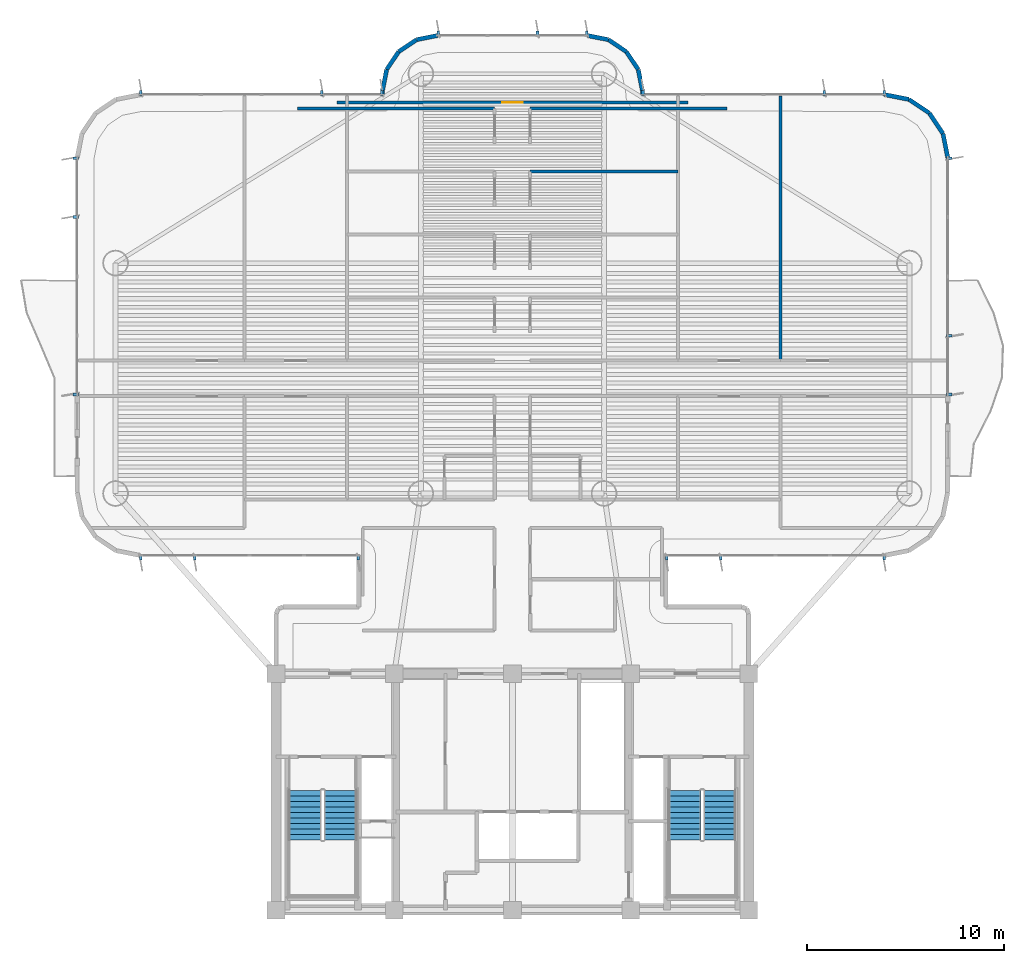
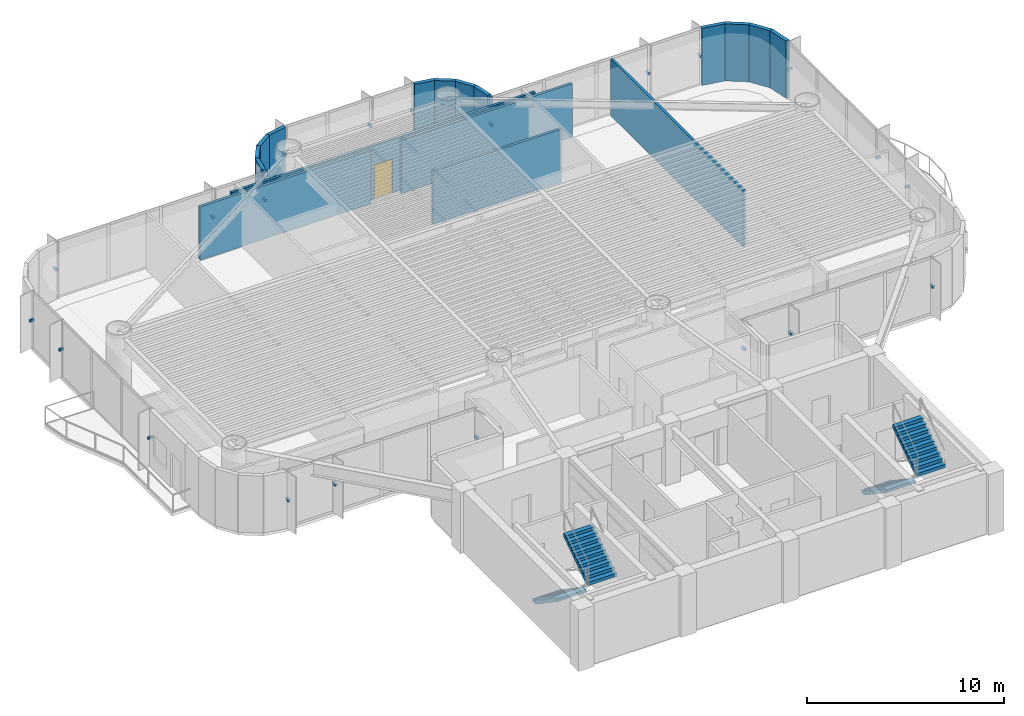
# One storey, part 12 of 16: 21 discrete accessories, 19 walls, 4 stair flights, 1 door, 1 opening, 2 elements without a shape of their own.
"""IFC4 building model written with IfcOpenShell, lengths in metres."""

from ifc_helpers import new_model, si_unit, direction, frame, frame_2d, origin, origin_2d, place, context, subcontext, project, spatial, polyline, rectangle, outline, extrude, source, transform, mapped, material, layer, layer_set, type_object, element, fill, aggregate, save


model = new_model("IFC4")

# Units and contexts
model_context = context("Model", 3, precision=1e-05, world=origin(), true_north=direction((0.0, 1.0)))
body_context = subcontext(model_context, "Body", "Model", "MODEL_VIEW")
ifc_project = project(units=[si_unit("LENGTHUNIT", "METRE"), si_unit("AREAUNIT", "SQUARE_METRE"), si_unit("VOLUMEUNIT", "CUBIC_METRE"), si_unit("PLANEANGLEUNIT", "RADIAN"), si_unit("MASSUNIT", "GRAM", prefix="KILO")], contexts=[model_context])

# Site, building, storey
site_placement = place(None, origin())
site = spatial("IfcSite", under=ifc_project, at=site_placement, CompositionType="ELEMENT")
building_placement = place(site_placement, origin())
building = spatial("IfcBuilding", under=site, at=building_placement, Name="Brelvock Crest Care Tower", CompositionType="ELEMENT")
storey_placement = place(building_placement, frame((0.0, 0.0, 104.93994140625)))
storey = spatial("IfcBuildingStorey", under=building, at=storey_placement, Name="L26", CompositionType="ELEMENT", Elevation=104.93994140625)

# Walls
ifc_material_1 = material(Name="Precast concrete N40 (40 MPa)", Category="concrete")
ifc_layer_1 = layer(ifc_material_1, 0.215087890625, Name="WL-EX2")
ifc_layer_set_1 = layer_set([ifc_layer_1], Name="Precast concrete N40 (40 MPa)")
wall_type_1 = type_object("IfcWallType", Name="WL-EX2", PredefinedType="SOLIDWALL", material=ifc_layer_set_1)
wall_1_placement = place(storey_placement, frame((29.39990234375, 47.39990234375, 0.0), z_axis=(0.0, 0.0, 1.0), x_axis=(0.0, 1.0, 0.0)))
element("IfcWall", 1, at=wall_1_placement, inside=storey, type_object=wall_type_1, Name="L26 Rounded Corner Wall 23", PredefinedType="SOLIDWALL", context=body_context, shape_type="SweptSolid", body=[
    extrude(rectangle(XDim=0.2001953125, YDim=0.215087890625, at=frame_2d((0.10009765625, 0.0))), origin(), (0.0, 0.0, 1.0), 3.530029296875),
])
wall_2_placement = place(storey_placement, frame((29.39990234375, 47.60009765625, 0.0), z_axis=(0.0, 0.0, 1.0), x_axis=(0.195127417394, 0.980777900945, 0.0)))
element("IfcWall", 2, at=wall_2_placement, inside=storey, type_object=wall_type_1, Name="L26 Rounded Corner Wall 24", PredefinedType="SOLIDWALL", context=body_context, shape_type="SweptSolid", body=[
    extrude(rectangle(XDim=1.09228515625, YDim=0.215087890625, at=frame_2d((0.546142578125, 0.0))), origin(), (0.0, 0.0, 1.0), 3.530029296875),
])
wall_3_placement = place(storey_placement, frame((29.613037109375, 48.67138671875, 0.0), z_axis=(0.0, 0.0, 1.0), x_axis=(0.555679482341, 0.831396603857, 0.0)))
element("IfcWall", 3, at=wall_3_placement, inside=storey, type_object=wall_type_1, Name="L26 Rounded Corner Wall 25", PredefinedType="SOLIDWALL", context=body_context, shape_type="SweptSolid", body=[
    extrude(rectangle(XDim=1.0927734375, YDim=0.215087890625, at=frame_2d((0.54638671875, 0.0))), origin(), (0.0, 0.0, 1.0), 3.530029296875),
])
for number, where, z_axis, x_axis, name in (
    (4, (30.22021484375, 49.579833984375, 0.0), (0.0, 0.0, 1.0), (0.831327592857, 0.555782721353, 0.0), "L26 Rounded Corner Wall 26"),
    (5, (31.12841796875, 50.18701171875, 0.0), (0.0, 0.0, 1.0), (0.980829143587, 0.194869677195, 0.0), "L26 Rounded Corner Wall 27"),
    (6, (39.800048828125, 50.39990234375, 0.0), (0.0, 0.0, 1.0), (0.980829143587, -0.194869677195, 0.0), "L26 Rounded Corner Wall 29"),
    (7, (40.87158203125, 50.18701171875, 0.0), (0.0, 0.0, 1.0), (0.831327592857, -0.555782721353, 0.0), "L26 Rounded Corner Wall 30"),
):
    element("IfcWall", number, at=place(storey_placement, frame(where, z_axis=z_axis, x_axis=x_axis)), inside=storey, type_object=wall_type_1, Name=name, PredefinedType="SOLIDWALL", context=body_context, shape_type="SweptSolid", body=[
        extrude(rectangle(XDim=1.092529296875, YDim=0.215087890625, at=frame_2d((0.54638671875, 0.0))), origin(), (0.0, 0.0, 1.0), 3.530029296875),
    ])
wall_4_placement = place(storey_placement, frame((41.77978515625, 49.579833984375, 0.0), z_axis=(0.0, 0.0, 1.0), x_axis=(0.555679482341, -0.831396603857, 0.0)))
element("IfcWall", 8, at=wall_4_placement, inside=storey, type_object=wall_type_1, Name="L26 Rounded Corner Wall 31", PredefinedType="SOLIDWALL", context=body_context, shape_type="SweptSolid", body=[
    extrude(rectangle(XDim=1.0927734375, YDim=0.215087890625, at=frame_2d((0.54638671875, 0.0))), origin(), (0.0, 0.0, 1.0), 3.530029296875),
])
wall_5_placement = place(storey_placement, frame((42.386962890625, 48.67138671875, 0.0), z_axis=(0.0, 0.0, 1.0), x_axis=(0.195127417394, -0.980777900945, 0.0)))
element("IfcWall", 9, at=wall_5_placement, inside=storey, type_object=wall_type_1, Name="L26 Rounded Corner Wall 32", PredefinedType="SOLIDWALL", context=body_context, shape_type="SweptSolid", body=[
    extrude(rectangle(XDim=1.09228515625, YDim=0.215087890625, at=frame_2d((0.546142578125, 0.0))), origin(), (0.0, 0.0, 1.0), 3.530029296875),
])
wall_6_placement = place(storey_placement, frame((42.60009765625, 47.60009765625, 0.0), z_axis=(0.0, 0.0, 1.0), x_axis=(0.0, -1.0, 0.0)))
element("IfcWall", 10, at=wall_6_placement, inside=storey, type_object=wall_type_1, Name="L26 Rounded Corner Wall 33", PredefinedType="SOLIDWALL", context=body_context, shape_type="SweptSolid", body=[
    extrude(rectangle(XDim=0.2001953125, YDim=0.215087890625, at=frame_2d((0.10009765625, 0.0))), origin(), (0.0, 0.0, 1.0), 3.530029296875),
])
for number, where, z_axis, x_axis, name in (
    (11, (54.89990234375, 47.39990234375, 0.0), (0.0, 0.0, 1.0), (0.980813122964, -0.194950295773, 0.0), "L26 Rounded Corner Wall 35"),
    (12, (56.12451171875, 47.156494140625, 0.0), (0.0, 0.0, 1.0), (0.831387912822, -0.555692485475, 0.0), "L26 Rounded Corner Wall 36"),
    (13, (57.16259765625, 46.462646484375, 0.0), (0.0, 0.0, 1.0), (0.555692485475, -0.831387912822, 0.0), "L26 Rounded Corner Wall 37"),
    (14, (57.8564453125, 45.424560546875, 0.0), (0.0, 0.0, 1.0), (0.195138390419, -0.980775717779, 0.0), "L26 Rounded Corner Wall 38"),
):
    element("IfcWall", number, at=place(storey_placement, frame(where, z_axis=z_axis, x_axis=x_axis)), inside=storey, type_object=wall_type_1, Name=name, PredefinedType="SOLIDWALL", context=body_context, shape_type="SweptSolid", body=[
        extrude(rectangle(XDim=1.24853515625, YDim=0.215087890625, at=frame_2d((0.624267578125, 0.0))), origin(), (0.0, 0.0, 1.0), 3.530029296875),
    ])
ifc_material_2 = material(Name="Masonry Blockwork Acoustic Partition", Category="masonry")
ifc_layer_2 = layer(ifc_material_2, 0.14990234375, Name="WL-INT1")
ifc_layer_set_2 = layer_set([ifc_layer_2], Name="Masonry Blockwork Acoustic Partition")
wall_type_2 = type_object("IfcWallType", Name="WL-INT1", PredefinedType="PARTITIONING", material=ifc_layer_set_2)
wall_7_placement = place(storey_placement, frame((36.89990234375, 43.5, 0.0), z_axis=(0.0, 0.0, 1.0), x_axis=(1.0, 0.0, 0.0)))
element("IfcWall", 15, at=wall_7_placement, inside=storey, type_object=wall_type_2, Name="L26 Interior Wall WL-BX-L26-CS-INECBA-N", PredefinedType="PARTITIONING", context=body_context, shape_type="SweptSolid", body=[
    extrude(rectangle(XDim=7.5, YDim=0.14990234375, at=frame_2d((3.75, 0.0))), origin(), (0.0, 0.0, 1.0), 3.30810546875),
])
for number, where, z_axis, x_axis, name in (
    (16, (25.10009765625, 46.699951171875, 0.0), (0.0, 0.0, 1.0), (1.0, 0.0, 0.0), "L26 Interior Wall WL-BX-L26-CS-INWCBB-N"),
    (17, (36.89990234375, 46.699951171875, 0.0), (0.0, 0.0, 1.0), (1.0, 0.0, 0.0), "L26 Interior Wall WL-BX-L26-CS-INECBB-N"),
):
    element("IfcWall", number, at=place(storey_placement, frame(where, z_axis=z_axis, x_axis=x_axis)), inside=storey, type_object=wall_type_2, Name=name, PredefinedType="PARTITIONING", context=body_context, shape_type="SweptSolid", body=[
        extrude(rectangle(XDim=10.0, YDim=0.14990234375, at=frame_2d((5.0, 0.0))), origin(), (0.0, 0.0, 1.0), 3.30810546875),
    ])

# Wall, opening, door
wall_8_placement = place(storey_placement, frame((27.10009765625, 47.0, 0.0), z_axis=(0.0, 0.0, 1.0), x_axis=(1.0, 0.0, 0.0)))
wall_8 = element("IfcWall", 18, at=wall_8_placement, inside=storey, type_object=wall_type_2, Name="L26 Interior Wall WL-RM-L26-NHUB", PredefinedType="PARTITIONING", context=body_context, shape_type="SweptSolid", body=[
    extrude(rectangle(XDim=17.7998046875, YDim=0.14990234375, at=frame_2d((8.89990234375, 0.0))), origin(), (0.0, 0.0, 1.0), 3.30810546875),
])
opening_placement = place(wall_8_placement, frame((8.375, 0.0, 0.0)))
opening = element("IfcOpeningElement", 19, at=opening_placement, cuts=wall_8, Name="Opening CLD-1", PredefinedType="OPENING", context=body_context, shape_type="SweptSolid", body=[
    extrude(rectangle(XDim=1.050048828125, YDim=2.10009765625, at=origin_2d()), frame((0.52490234375, 0.0849609375, 1.050048828125), z_axis=(0.0, -1.0, 0.0), x_axis=(1.0, 0.0, 0.0)), (0.0, 0.0, 1.0), 0.169921875),
])
ifc_material_3 = material(Name="Engineered Hardwood Timber", Category="wood")
door_type = type_object("IfcDoorType", Name="DR-CLN1", OperationType="NOTDEFINED", PredefinedType="DOOR", material=ifc_material_3)
shared_shape_1 = source(origin(), body_context, "Body", "SweptSolid", [
    extrude(rectangle(XDim=1.050048828125, YDim=2.10009765625, at=origin_2d()), frame((0.52490234375, 0.02490234375, 1.050048828125), z_axis=(0.0, -1.0, 0.0), x_axis=(1.0, 0.0, 0.0)), (0.0, 0.0, 1.0), 0.050048828125),
])
door_placement = place(opening_placement, origin())
door = element("IfcDoor", 20, at=door_placement, inside=storey, type_object=door_type, Name="L26 North Panorama Sunroom Door NHUB", OperationType="SINGLE_SWING_LEFT", OverallHeight=2.10009765625, OverallWidth=1.050048828125, PredefinedType="DOOR", context=body_context, shape_type="MappedRepresentation", body=[
    mapped(shared_shape_1, transform((0.0, 0.0, 0.0), x_axis=(1.0, 0.0, 0.0), y_axis=(0.0, 1.0, 0.0), z_axis=(0.0, 0.0, 1.0), scale=1.0)),
])
fill(opening, door)

# Wall
wall_9_placement = place(storey_placement, frame((49.60009765625, 33.89990234375, 0.0), z_axis=(0.0, 0.0, 1.0), x_axis=(0.0, 1.0, 0.0)))
element("IfcWall", 21, at=wall_9_placement, inside=storey, type_object=wall_type_2, Name="L26 Interior Wall WL-BX-L26-INED-E", PredefinedType="PARTITIONING", context=body_context, shape_type="SweptSolid", body=[
    extrude(rectangle(XDim=13.4208984375, YDim=0.14990234375, at=frame_2d((6.71044921875, 0.0))), origin(), (0.0, 0.0, 1.0), 3.5),
])

# Stair, stair flights
ifc_material_4 = material(Name="Concrete N40 (40 MPa)", Category="concrete")
stair_type = type_object("IfcStairType", Name="ST-CORE1", PredefinedType="HALF_TURN_STAIR", material=ifc_material_4)
stair_1_placement = place(storey_placement, origin())
stair_1 = element("IfcStair", 22, at=stair_1_placement, inside=storey, type_object=stair_type, Name="L26 Fire-Isolated Core Stair ST-1", PredefinedType="HALF_TURN_STAIR")
stair_flight_type = type_object("IfcStairFlightType", Name="STF-1", PredefinedType="STRAIGHT", material=ifc_material_4)
stair_flight_1_placement = place(storey_placement, frame((25.469970703125, 12.080078125, 0.0), z_axis=(0.0, 0.0, 1.0), x_axis=(0.0, -1.0, 0.0)))
stair_flight_1 = element("IfcStairFlight", 23, at=stair_flight_1_placement, type_object=stair_flight_type, Name="ST-1 flight 1", NumberOfRisers=10, NumberOfTreads=9, PredefinedType="STRAIGHT", RiserHeight=0.189, TreadLength=0.28, context=body_context, shape_type="SweptSolid", body=[
    extrude(outline(polyline([(-0.00390625, -0.014892578125), (-0.00390625, -0.0078125), (-0.00390625, -0.00048828125), (-0.00390625, 0.0068359375), (-0.00390625, 0.01416015625), (-0.00390625, 0.021484375), (-0.00390625, 0.02880859375), (-0.00390625, 0.035888671875), (-0.00390625, 0.043212890625), (-0.00390625, 0.050537109375), (-0.00390625, 0.057861328125), (-0.00390625, 0.065185546875), (-0.00390625, 0.072509765625), (-0.00390625, 0.07958984375), (-0.00390625, 0.0869140625), (-0.00390625, 0.09423828125), (-0.00390625, 0.1015625), (-0.00390625, 0.10888671875), (-0.00390625, 0.1162109375), (-0.00390625, 0.12353515625), (-0.00390625, 0.130615234375), (-0.00390625, 0.137939453125), (-0.00390625, 0.145263671875), (-0.00390625, 0.152587890625), (-0.00390625, 0.159912109375), (-0.00390625, 0.167236328125), (-0.00390625, 0.17431640625), (-0.00390625, 0.181640625), (-0.00390625, 0.18896484375), (0.0, 0.18896484375), (0.280029296875, 0.18896484375), (0.280029296875, 0.3779296875), (0.56005859375, 0.3779296875), (0.56005859375, 0.56689453125), (0.840087890625, 0.56689453125), (0.840087890625, 0.756103515625), (1.1201171875, 0.756103515625), (1.1201171875, 0.945068359375), (1.39990234375, 0.945068359375), (1.39990234375, 1.134033203125), (1.679931640625, 1.134033203125), (1.679931640625, 1.322998046875), (1.9599609375, 1.322998046875), (1.9599609375, 1.511962890625), (2.239990234375, 1.511962890625), (2.239990234375, 1.700927734375), (2.52001953125, 1.700927734375), (2.52392578125, 1.700927734375), (2.523681640625, 1.70068359375), (2.52392578125, 1.700439453125), (2.523681640625, 1.699951171875), (2.52392578125, 1.69970703125), (2.523681640625, 1.699462890625), (2.52392578125, 1.698974609375), (2.523681640625, 1.69873046875), (2.52392578125, 1.698486328125), (2.523681640625, 1.697998046875), (2.52392578125, 1.69775390625), (2.523681640625, 1.697509765625), (2.52392578125, 1.697021484375), (2.523681640625, 1.69677734375), (2.52392578125, 1.696533203125), (2.523681640625, 1.6962890625), (2.52392578125, 1.69580078125), (2.523681640625, 1.695556640625), (2.52392578125, 1.6953125), (2.523681640625, 1.69482421875), (2.52392578125, 1.694580078125), (2.523681640625, 1.6943359375), (2.52392578125, 1.69384765625), (2.523681640625, 1.693603515625), (2.52392578125, 1.693359375), (2.523681640625, 1.69287109375), (2.52392578125, 1.692626953125), (2.523681640625, 1.6923828125), (2.52392578125, 1.69189453125), (2.52001953125, 1.520263671875), (0.267822265625, 0.0), (0.0, 0.0), (0.0, -0.014892578125), (-0.00390625, -0.014892578125)])), frame((0.0, 0.83984375, 0.0), z_axis=(0.0, -1.0, 0.0), x_axis=(1.0, 0.0, 0.0)), (0.0, 0.0, 1.0), 1.679931640625),
])
stair_flight_2_placement = place(storey_placement, frame((27.27001953125, 9.56005859375, 1.89013671875), z_axis=(0.0, 0.0, 1.0), x_axis=(0.0, 1.0, 0.0)))
stair_flight_2 = element("IfcStairFlight", 24, at=stair_flight_2_placement, type_object=stair_flight_type, Name="ST-1 flight 2", NumberOfRisers=10, NumberOfTreads=9, PredefinedType="STRAIGHT", RiserHeight=0.189, TreadLength=0.28, context=body_context, shape_type="SweptSolid", body=[
    extrude(outline(polyline([(-0.00390625, -0.014892578125), (-0.00390625, -0.0078125), (-0.00390625, -0.00048828125), (-0.00390625, 0.0068359375), (-0.00390625, 0.01416015625), (-0.00390625, 0.021484375), (-0.00390625, 0.02880859375), (-0.00390625, 0.035888671875), (-0.00390625, 0.043212890625), (-0.00390625, 0.050537109375), (-0.00390625, 0.057861328125), (-0.00390625, 0.065185546875), (-0.00390625, 0.072509765625), (-0.00390625, 0.07958984375), (-0.00390625, 0.0869140625), (-0.00390625, 0.09423828125), (-0.00390625, 0.1015625), (-0.00390625, 0.10888671875), (-0.00390625, 0.1162109375), (-0.00390625, 0.12353515625), (-0.00390625, 0.130615234375), (-0.00390625, 0.137939453125), (-0.00390625, 0.145263671875), (-0.00390625, 0.152587890625), (-0.00390625, 0.159912109375), (-0.00390625, 0.167236328125), (-0.00390625, 0.17431640625), (-0.00390625, 0.181640625), (-0.00390625, 0.18896484375), (0.0, 0.18896484375), (0.280029296875, 0.18896484375), (0.280029296875, 0.3779296875), (0.56005859375, 0.3779296875), (0.56005859375, 0.56689453125), (0.840087890625, 0.56689453125), (0.840087890625, 0.756103515625), (1.1201171875, 0.756103515625), (1.1201171875, 0.945068359375), (1.39990234375, 0.945068359375), (1.39990234375, 1.134033203125), (1.679931640625, 1.134033203125), (1.679931640625, 1.322998046875), (1.9599609375, 1.322998046875), (1.9599609375, 1.511962890625), (2.239990234375, 1.511962890625), (2.239990234375, 1.700927734375), (2.52001953125, 1.700927734375), (2.52392578125, 1.700927734375), (2.523681640625, 1.70068359375), (2.52392578125, 1.700439453125), (2.523681640625, 1.699951171875), (2.52392578125, 1.69970703125), (2.523681640625, 1.699462890625), (2.52392578125, 1.698974609375), (2.523681640625, 1.69873046875), (2.52392578125, 1.698486328125), (2.523681640625, 1.697998046875), (2.52392578125, 1.69775390625), (2.523681640625, 1.697509765625), (2.52392578125, 1.697021484375), (2.523681640625, 1.69677734375), (2.52392578125, 1.696533203125), (2.523681640625, 1.6962890625), (2.52392578125, 1.69580078125), (2.523681640625, 1.695556640625), (2.52392578125, 1.6953125), (2.523681640625, 1.69482421875), (2.52392578125, 1.694580078125), (2.523681640625, 1.6943359375), (2.52392578125, 1.69384765625), (2.523681640625, 1.693603515625), (2.52392578125, 1.693359375), (2.523681640625, 1.69287109375), (2.52392578125, 1.692626953125), (2.523681640625, 1.6923828125), (2.52392578125, 1.69189453125), (2.52001953125, 1.520263671875), (0.267822265625, 0.0), (0.0, 0.0), (0.0, -0.014892578125), (-0.00390625, -0.014892578125)])), frame((0.0, 0.83984375, 0.0), z_axis=(0.0, -1.0, 0.0), x_axis=(1.0, 0.0, 0.0)), (0.0, 0.0, 1.0), 1.679931640625),
])
aggregate(stair_1, [stair_flight_1, stair_flight_2])

stair_2_placement = place(storey_placement, origin())
stair_2 = element("IfcStair", 25, at=stair_2_placement, inside=storey, type_object=stair_type, Name="L26 Fire-Isolated Core Stair ST-2", PredefinedType="HALF_TURN_STAIR")
stair_flight_3_placement = place(storey_placement, frame((44.72998046875, 12.080078125, 0.0), z_axis=(0.0, 0.0, 1.0), x_axis=(0.0, -1.0, 0.0)))
stair_flight_3 = element("IfcStairFlight", 26, at=stair_flight_3_placement, type_object=stair_flight_type, Name="ST-2 flight 1", NumberOfRisers=10, NumberOfTreads=9, PredefinedType="STRAIGHT", RiserHeight=0.189, TreadLength=0.28, context=body_context, shape_type="SweptSolid", body=[
    extrude(outline(polyline([(-0.00390625, -0.014892578125), (-0.00390625, -0.0078125), (-0.00390625, -0.00048828125), (-0.00390625, 0.0068359375), (-0.00390625, 0.01416015625), (-0.00390625, 0.021484375), (-0.00390625, 0.02880859375), (-0.00390625, 0.035888671875), (-0.00390625, 0.043212890625), (-0.00390625, 0.050537109375), (-0.00390625, 0.057861328125), (-0.00390625, 0.065185546875), (-0.00390625, 0.072509765625), (-0.00390625, 0.07958984375), (-0.00390625, 0.0869140625), (-0.00390625, 0.09423828125), (-0.00390625, 0.1015625), (-0.00390625, 0.10888671875), (-0.00390625, 0.1162109375), (-0.00390625, 0.12353515625), (-0.00390625, 0.130615234375), (-0.00390625, 0.137939453125), (-0.00390625, 0.145263671875), (-0.00390625, 0.152587890625), (-0.00390625, 0.159912109375), (-0.00390625, 0.167236328125), (-0.00390625, 0.17431640625), (-0.00390625, 0.181640625), (-0.00390625, 0.18896484375), (0.0, 0.18896484375), (0.280029296875, 0.18896484375), (0.280029296875, 0.3779296875), (0.56005859375, 0.3779296875), (0.56005859375, 0.56689453125), (0.840087890625, 0.56689453125), (0.840087890625, 0.756103515625), (1.1201171875, 0.756103515625), (1.1201171875, 0.945068359375), (1.39990234375, 0.945068359375), (1.39990234375, 1.134033203125), (1.679931640625, 1.134033203125), (1.679931640625, 1.322998046875), (1.9599609375, 1.322998046875), (1.9599609375, 1.511962890625), (2.239990234375, 1.511962890625), (2.239990234375, 1.700927734375), (2.52001953125, 1.700927734375), (2.52392578125, 1.700927734375), (2.523681640625, 1.70068359375), (2.52392578125, 1.700439453125), (2.523681640625, 1.699951171875), (2.52392578125, 1.69970703125), (2.523681640625, 1.699462890625), (2.52392578125, 1.698974609375), (2.523681640625, 1.69873046875), (2.52392578125, 1.698486328125), (2.523681640625, 1.697998046875), (2.52392578125, 1.69775390625), (2.523681640625, 1.697509765625), (2.52392578125, 1.697021484375), (2.523681640625, 1.69677734375), (2.52392578125, 1.696533203125), (2.523681640625, 1.6962890625), (2.52392578125, 1.69580078125), (2.523681640625, 1.695556640625), (2.52392578125, 1.6953125), (2.523681640625, 1.69482421875), (2.52392578125, 1.694580078125), (2.523681640625, 1.6943359375), (2.52392578125, 1.69384765625), (2.523681640625, 1.693603515625), (2.52392578125, 1.693359375), (2.523681640625, 1.69287109375), (2.52392578125, 1.692626953125), (2.523681640625, 1.6923828125), (2.52392578125, 1.69189453125), (2.52001953125, 1.520263671875), (0.267822265625, 0.0), (0.0, 0.0), (0.0, -0.014892578125), (-0.00390625, -0.014892578125)])), frame((0.0, 0.83984375, 0.0), z_axis=(0.0, -1.0, 0.0), x_axis=(1.0, 0.0, 0.0)), (0.0, 0.0, 1.0), 1.679931640625),
])
stair_flight_4_placement = place(storey_placement, frame((46.530029296875, 9.56005859375, 1.89013671875), z_axis=(0.0, 0.0, 1.0), x_axis=(0.0, 1.0, 0.0)))
stair_flight_4 = element("IfcStairFlight", 27, at=stair_flight_4_placement, type_object=stair_flight_type, Name="ST-2 flight 2", NumberOfRisers=10, NumberOfTreads=9, PredefinedType="STRAIGHT", RiserHeight=0.189, TreadLength=0.28, context=body_context, shape_type="SweptSolid", body=[
    extrude(outline(polyline([(-0.00390625, -0.014892578125), (-0.00390625, -0.0078125), (-0.00390625, -0.00048828125), (-0.00390625, 0.0068359375), (-0.00390625, 0.01416015625), (-0.00390625, 0.021484375), (-0.00390625, 0.02880859375), (-0.00390625, 0.035888671875), (-0.00390625, 0.043212890625), (-0.00390625, 0.050537109375), (-0.00390625, 0.057861328125), (-0.00390625, 0.065185546875), (-0.00390625, 0.072509765625), (-0.00390625, 0.07958984375), (-0.00390625, 0.0869140625), (-0.00390625, 0.09423828125), (-0.00390625, 0.1015625), (-0.00390625, 0.10888671875), (-0.00390625, 0.1162109375), (-0.00390625, 0.12353515625), (-0.00390625, 0.130615234375), (-0.00390625, 0.137939453125), (-0.00390625, 0.145263671875), (-0.00390625, 0.152587890625), (-0.00390625, 0.159912109375), (-0.00390625, 0.167236328125), (-0.00390625, 0.17431640625), (-0.00390625, 0.181640625), (-0.00390625, 0.18896484375), (0.0, 0.18896484375), (0.280029296875, 0.18896484375), (0.280029296875, 0.3779296875), (0.56005859375, 0.3779296875), (0.56005859375, 0.56689453125), (0.840087890625, 0.56689453125), (0.840087890625, 0.756103515625), (1.1201171875, 0.756103515625), (1.1201171875, 0.945068359375), (1.39990234375, 0.945068359375), (1.39990234375, 1.134033203125), (1.679931640625, 1.134033203125), (1.679931640625, 1.322998046875), (1.9599609375, 1.322998046875), (1.9599609375, 1.511962890625), (2.239990234375, 1.511962890625), (2.239990234375, 1.700927734375), (2.52001953125, 1.700927734375), (2.52392578125, 1.700927734375), (2.523681640625, 1.70068359375), (2.52392578125, 1.700439453125), (2.523681640625, 1.699951171875), (2.52392578125, 1.69970703125), (2.523681640625, 1.699462890625), (2.52392578125, 1.698974609375), (2.523681640625, 1.69873046875), (2.52392578125, 1.698486328125), (2.523681640625, 1.697998046875), (2.52392578125, 1.69775390625), (2.523681640625, 1.697509765625), (2.52392578125, 1.697021484375), (2.523681640625, 1.69677734375), (2.52392578125, 1.696533203125), (2.523681640625, 1.6962890625), (2.52392578125, 1.69580078125), (2.523681640625, 1.695556640625), (2.52392578125, 1.6953125), (2.523681640625, 1.69482421875), (2.52392578125, 1.694580078125), (2.523681640625, 1.6943359375), (2.52392578125, 1.69384765625), (2.523681640625, 1.693603515625), (2.52392578125, 1.693359375), (2.523681640625, 1.69287109375), (2.52392578125, 1.692626953125), (2.523681640625, 1.6923828125), (2.52392578125, 1.69189453125), (2.52001953125, 1.520263671875), (0.267822265625, 0.0), (0.0, 0.0), (0.0, -0.014892578125), (-0.00390625, -0.014892578125)])), frame((0.0, 0.83984375, 0.0), z_axis=(0.0, -1.0, 0.0), x_axis=(1.0, 0.0, 0.0)), (0.0, 0.0, 1.0), 1.679931640625),
])
aggregate(stair_2, [stair_flight_3, stair_flight_4])

# Discrete accessories
ifc_material_5 = material(Name="Steel Grade 350", Category="steel")
discrete_accessory_type = type_object("IfcDiscreteAccessoryType", Name="ACC-BRK1", PredefinedType="BRACKET", material=ifc_material_5)
shared_shape_2 = source(origin(), body_context, "Body", "SweptSolid", [
    extrude(rectangle(XDim=0.280029296875, YDim=0.139892578125, at=origin_2d()), origin(), (0.0, 0.0, 1.0), 0.139892578125),
])
for number, where, z_axis, x_axis, name in (
    (28, (28.169921875, 23.919921875, 1.6953125), (0.0, 0.0, 1.0), (0.0, -1.0, 0.0), "L26 Facade Fin Bracket E12-01"),
    (29, (19.875, 23.919921875, 1.6953125), (0.0, 0.0, 1.0), (0.0, -1.0, 0.0), "L26 Facade Fin Bracket E12-04"),
    (30, (17.1298828125, 23.919921875, 1.6953125), (0.0, 0.0, 1.0), (0.0, -1.0, 0.0), "L26 Facade Fin Bracket E12-05"),
    (31, (13.820068359375, 32.179931640625, 1.6953125), (0.0, 0.0, 1.0), (-1.0, 0.0, 0.0), "L26 Facade Fin Bracket E17B-01"),
    (32, (13.820068359375, 41.1875, 1.6953125), (0.0, 0.0, 1.0), (-1.0, 0.0, 0.0), "L26 Facade Fin Bracket E17B-04"),
    (33, (13.820068359375, 44.169921875, 1.6953125), (0.0, 0.0, 1.0), (-1.0, 0.0, 0.0), "L26 Facade Fin Bracket E17B-05"),
    (34, (17.1298828125, 47.47998046875, 1.6953125), (0.0, 0.0, 1.0), (0.0, 1.0, 0.0), "L26 Facade Fin Bracket E22-01"),
    (35, (26.324951171875, 47.47998046875, 1.6953125), (0.0, 0.0, 1.0), (0.0, 1.0, 0.0), "L26 Facade Fin Bracket E22-04"),
    (36, (29.3701171875, 47.47998046875, 1.6953125), (0.0, 0.0, 1.0), (0.0, 1.0, 0.0), "L26 Facade Fin Bracket E22-05"),
    (37, (32.22998046875, 50.47998046875, 1.6953125), (0.0, 0.0, 1.0), (0.0, 1.0, 0.0), "L26 Facade Fin Bracket E28-01"),
    (38, (37.2666015625, 50.47998046875, 1.6953125), (0.0, 0.0, 1.0), (0.0, 1.0, 0.0), "L26 Facade Fin Bracket E28-03"),
    (39, (39.77001953125, 50.47998046875, 1.6953125), (0.0, 0.0, 1.0), (0.0, 1.0, 0.0), "L26 Facade Fin Bracket E28-04"),
    (40, (42.6298828125, 47.47998046875, 1.6953125), (0.0, 0.0, 1.0), (0.0, 1.0, 0.0), "L26 Facade Fin Bracket E34-01"),
    (41, (51.824951171875, 47.47998046875, 1.6953125), (0.0, 0.0, 1.0), (0.0, 1.0, 0.0), "L26 Facade Fin Bracket E34-04"),
    (42, (54.8701171875, 47.47998046875, 1.6953125), (0.0, 0.0, 1.0), (0.0, 1.0, 0.0), "L26 Facade Fin Bracket E34-05"),
    (43, (58.179931640625, 44.169921875, 1.6953125), (0.0, 0.0, 1.0), (1.0, 0.0, 0.0), "L26 Facade Fin Bracket E39A-01"),
    (44, (58.179931640625, 35.16259765625, 1.6953125), (0.0, 0.0, 1.0), (1.0, 0.0, 0.0), "L26 Facade Fin Bracket E39A-04"),
    (45, (58.179931640625, 32.179931640625, 1.6953125), (0.0, 0.0, 1.0), (1.0, 0.0, 0.0), "L26 Facade Fin Bracket E39A-05"),
    (46, (54.8701171875, 23.919921875, 1.6953125), (0.0, 0.0, 1.0), (0.0, -1.0, 0.0), "L26 Facade Fin Bracket E44-01"),
    (47, (46.574951171875, 23.919921875, 1.6953125), (0.0, 0.0, 1.0), (0.0, -1.0, 0.0), "L26 Facade Fin Bracket E44-04"),
    (48, (43.830078125, 23.919921875, 1.6953125), (0.0, 0.0, 1.0), (0.0, -1.0, 0.0), "L26 Facade Fin Bracket E44-05"),
):
    element("IfcDiscreteAccessory", number, at=place(storey_placement, frame(where, z_axis=z_axis, x_axis=x_axis)), inside=storey, type_object=discrete_accessory_type, Name=name, PredefinedType="BRACKET", context=body_context, shape_type="MappedRepresentation", body=[
        mapped(shared_shape_2, transform((0.0, 0.0, 0.0), x_axis=(1.0, 0.0, 0.0), y_axis=(0.0, 1.0, 0.0), z_axis=(0.0, 0.0, 1.0), scale=1.0)),
    ])

save(model, "model.ifc")
